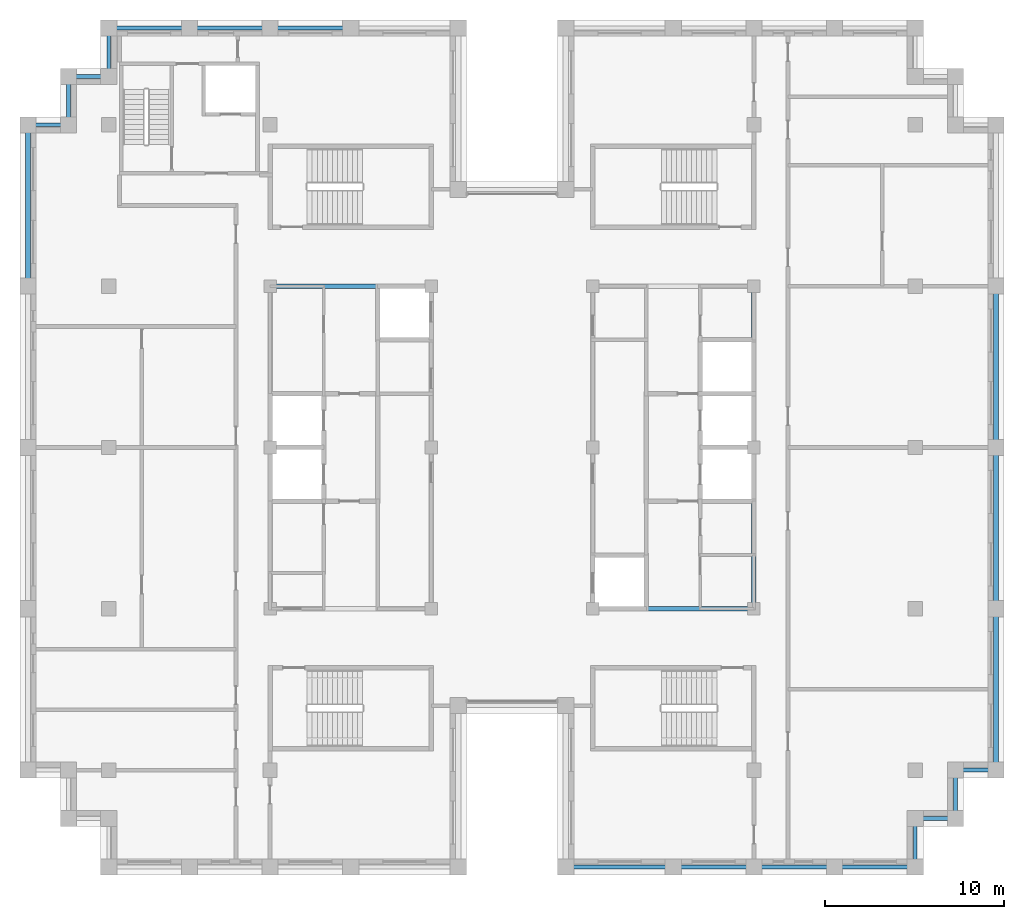
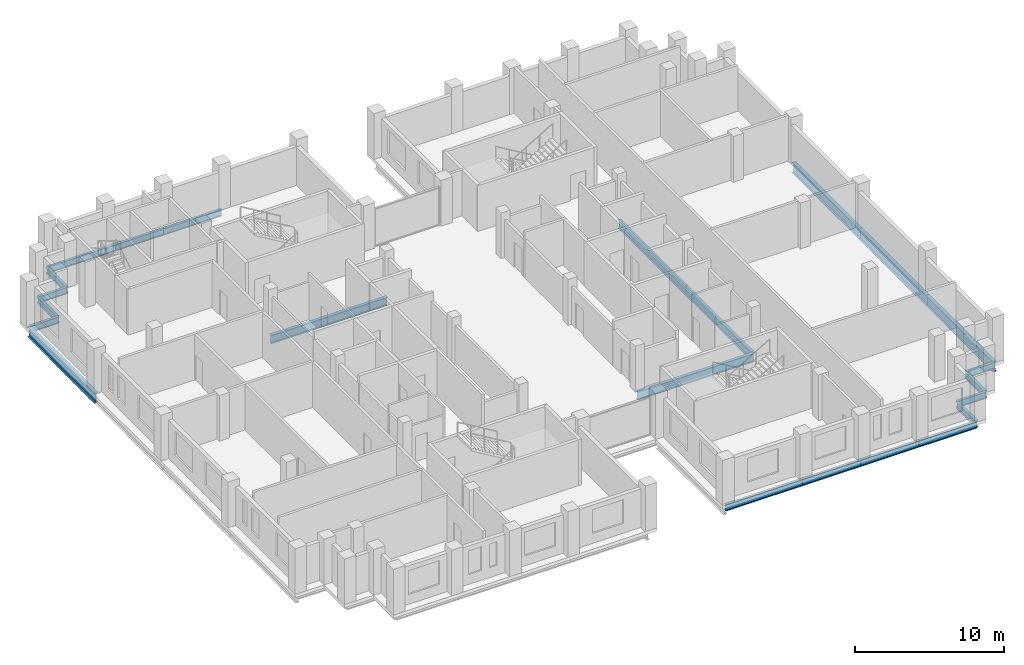
# One storey, part 3 of 13: 23 beams.
"""IFC4 building model written with IfcOpenShell, lengths in metres."""

from ifc_helpers import new_model, si_unit, direction, frame, origin, origin_2d, place, context, subcontext, project, spatial, i_section, extrude, material, material_profile, profile_set, type_object, element, save


model = new_model("IFC4")

# Units and contexts
model_context = context("Model", 3, precision=1e-05, world=origin(), true_north=direction((0.0, 1.0)))
body_context = subcontext(model_context, "Body", "Model", "MODEL_VIEW")
ifc_project = project(units=[si_unit("LENGTHUNIT", "METRE"), si_unit("AREAUNIT", "SQUARE_METRE"), si_unit("VOLUMEUNIT", "CUBIC_METRE"), si_unit("PLANEANGLEUNIT", "RADIAN"), si_unit("MASSUNIT", "GRAM", prefix="KILO")], contexts=[model_context])

# Site, building, storey
site_placement = place(None, origin())
site = spatial("IfcSite", under=ifc_project, at=site_placement, CompositionType="ELEMENT")
building_placement = place(site_placement, origin())
building = spatial("IfcBuilding", under=site, at=building_placement, Name="Corbelhall Arena Tower", CompositionType="ELEMENT")
storey_placement = place(building_placement, frame((0.0, 0.0, 304.0)))
storey = spatial("IfcBuildingStorey", under=building, at=storey_placement, Name="L66", CompositionType="ELEMENT", Elevation=304.0)

# Beams
ifc_material = material(Name="Steel ASTM A992 Gr50", Category="steel")
ifc_material_profile_1 = material_profile(ifc_material, i_section(OverallWidth=0.25390625, OverallDepth=0.67822265625, WebThickness=0.01171875, FlangeThickness=0.016357421875, at=origin_2d()))
ifc_profile_set_1 = profile_set([ifc_material_profile_1], Name="Steel ASTM A992 Gr50")
beam_type_1 = type_object("IfcBeamType", Name="ST-BEAM-W27x84", PredefinedType="BEAM", material=ifc_profile_set_1)
for number, where, z_axis, x_axis, name in (
    (1, (-13.5, 9.0, -0.59912109375), (1.0, 0.0, 0.0), (0.0, 1.0, 0.0), "Beam CEW 6"),
    (2, (13.5, -9.0, -0.59912109375), (0.0, 1.0, 0.0), (-1.0, 0.0, 0.0), "Beam CEE 9"),
    (3, (13.5, 0.0, -0.59912109375), (0.0, 1.0, 0.0), (-1.0, 0.0, 0.0), "Beam CEE 10"),
    (4, (4.5, -9.0, -0.59912109375), (1.0, 0.0, 0.0), (0.0, 1.0, 0.0), "Beam CEE 11"),
):
    element("IfcBeam", number, at=place(storey_placement, frame(where, z_axis=z_axis, x_axis=x_axis)), inside=storey, type_object=beam_type_1, Name=name, PredefinedType="BEAM", context=body_context, shape_type="SweptSolid", body=[
        extrude(i_section(OverallWidth=0.25390625, OverallDepth=0.67822265625, WebThickness=0.01171875, FlangeThickness=0.016357421875, at=origin_2d()), origin(), (0.0, 0.0, 1.0), 9.0),
    ])
ifc_material_profile_2 = material_profile(ifc_material, i_section(OverallWidth=0.209228515625, OverallDepth=0.533447265625, WebThickness=0.01025390625, FlangeThickness=0.015625, at=origin_2d()))
ifc_profile_set_2 = profile_set([ifc_material_profile_2], Name="Steel ASTM A992 Gr50")
beam_type_2 = type_object("IfcBeamType", Name="ST-SPANDREL-W21x62", PredefinedType="SPANDREL", material=ifc_profile_set_2)
beam_1_placement = place(storey_placement, frame((27.0, -18.0, -0.526611328125), z_axis=(-1.0, 0.0, 0.0), x_axis=(0.0, -1.0, 0.0)))
element("IfcBeam", 5, at=beam_1_placement, inside=storey, type_object=beam_type_2, Name="Beam SP 5", PredefinedType="SPANDREL", context=body_context, shape_type="SweptSolid", body=[
    extrude(i_section(OverallWidth=0.209228515625, OverallDepth=0.533447265625, WebThickness=0.01025390625, FlangeThickness=0.015625, at=origin_2d()), origin(), (0.0, 0.0, 1.0), 2.25),
])
for number, where, z_axis, x_axis, name in (
    (6, (-13.5, 23.39990234375, -0.526611328125), (1.0, 0.0, 0.0), (0.0, 1.0, 0.0), "Beam SP 13"),
    (7, (-18.0, 23.39990234375, -0.526611328125), (1.0, 0.0, 0.0), (0.0, 1.0, 0.0), "Beam SP 14"),
    (8, (-22.5, 23.39990234375, -0.526611328125), (1.0, 0.0, 0.0), (0.0, 1.0, 0.0), "Beam SP 15"),
):
    element("IfcBeam", number, at=place(storey_placement, frame(where, z_axis=z_axis, x_axis=x_axis)), inside=storey, type_object=beam_type_2, Name=name, PredefinedType="SPANDREL", context=body_context, shape_type="SweptSolid", body=[
        extrude(i_section(OverallWidth=0.209228515625, OverallDepth=0.533447265625, WebThickness=0.01025390625, FlangeThickness=0.015625, at=origin_2d()), origin(), (0.0, 0.0, 1.0), 4.5),
    ])
beam_2_placement = place(storey_placement, frame((9.0, -23.39990234375, -0.526611328125), z_axis=(-1.0, 0.0, 0.0), x_axis=(0.0, -1.0, 0.0)))
element("IfcBeam", 9, at=beam_2_placement, inside=storey, type_object=beam_type_2, Name="Beam SP 17", PredefinedType="SPANDREL", context=body_context, shape_type="SweptSolid", body=[
    extrude(i_section(OverallWidth=0.209228515625, OverallDepth=0.533447265625, WebThickness=0.01025390625, FlangeThickness=0.015625, at=origin_2d()), origin(), (0.0, 0.0, 1.0), 6.0),
])
for number, where, z_axis, x_axis, name in (
    (10, (13.5, -23.39990234375, -0.526611328125), (-1.0, 0.0, 0.0), (0.0, -1.0, 0.0), "Beam SP 18"),
    (11, (18.0, -23.39990234375, -0.526611328125), (-1.0, 0.0, 0.0), (0.0, -1.0, 0.0), "Beam SP 19"),
    (12, (22.5, -23.39990234375, -0.526611328125), (-1.0, 0.0, 0.0), (0.0, -1.0, 0.0), "Beam SP 20"),
):
    element("IfcBeam", number, at=place(storey_placement, frame(where, z_axis=z_axis, x_axis=x_axis)), inside=storey, type_object=beam_type_2, Name=name, PredefinedType="SPANDREL", context=body_context, shape_type="SweptSolid", body=[
        extrude(i_section(OverallWidth=0.209228515625, OverallDepth=0.533447265625, WebThickness=0.01025390625, FlangeThickness=0.015625, at=origin_2d()), origin(), (0.0, 0.0, 1.0), 4.5),
    ])
beam_3_placement = place(storey_placement, frame((-27.0, 18.0, -0.526611328125), z_axis=(1.0, 0.0, 0.0), x_axis=(0.0, 1.0, 0.0)))
element("IfcBeam", 13, at=beam_3_placement, inside=storey, type_object=beam_type_2, Name="Beam SP 28", PredefinedType="SPANDREL", context=body_context, shape_type="SweptSolid", body=[
    extrude(i_section(OverallWidth=0.209228515625, OverallDepth=0.533447265625, WebThickness=0.01025390625, FlangeThickness=0.015625, at=origin_2d()), origin(), (0.0, 0.0, 1.0), 2.25),
])
beam_4_placement = place(storey_placement, frame((-22.5, 20.699951171875, -0.526611328125), z_axis=(0.0, 1.0, 0.0), x_axis=(-1.0, 0.0, 0.0)))
element("IfcBeam", 14, at=beam_4_placement, inside=storey, type_object=beam_type_2, Name="Beam SP 38", PredefinedType="SPANDREL", context=body_context, shape_type="SweptSolid", body=[
    extrude(i_section(OverallWidth=0.209228515625, OverallDepth=0.533447265625, WebThickness=0.01025390625, FlangeThickness=0.015625, at=origin_2d()), origin(), (0.0, 0.0, 1.0), 2.699951171875),
])
beam_5_placement = place(storey_placement, frame((-24.75, 20.699951171875, -0.526611328125), z_axis=(1.0, 0.0, 0.0), x_axis=(0.0, 1.0, 0.0)))
element("IfcBeam", 15, at=beam_5_placement, inside=storey, type_object=beam_type_2, Name="Beam SP 39", PredefinedType="SPANDREL", context=body_context, shape_type="SweptSolid", body=[
    extrude(i_section(OverallWidth=0.209228515625, OverallDepth=0.533447265625, WebThickness=0.01025390625, FlangeThickness=0.015625, at=origin_2d()), origin(), (0.0, 0.0, 1.0), 2.25),
])
for number, where, z_axis, x_axis, name in (
    (16, (-24.75, 18.0, -0.526611328125), (0.0, 1.0, 0.0), (-1.0, 0.0, 0.0), "Beam SP 40"),
    (17, (22.5, -20.699951171875, -0.526611328125), (0.0, -1.0, 0.0), (1.0, 0.0, 0.0), "Beam SP 41"),
):
    element("IfcBeam", number, at=place(storey_placement, frame(where, z_axis=z_axis, x_axis=x_axis)), inside=storey, type_object=beam_type_2, Name=name, PredefinedType="SPANDREL", context=body_context, shape_type="SweptSolid", body=[
        extrude(i_section(OverallWidth=0.209228515625, OverallDepth=0.533447265625, WebThickness=0.01025390625, FlangeThickness=0.015625, at=origin_2d()), origin(), (0.0, 0.0, 1.0), 2.699951171875),
    ])
beam_6_placement = place(storey_placement, frame((24.75, -20.699951171875, -0.526611328125), z_axis=(-1.0, 0.0, 0.0), x_axis=(0.0, -1.0, 0.0)))
element("IfcBeam", 18, at=beam_6_placement, inside=storey, type_object=beam_type_2, Name="Beam SP 42", PredefinedType="SPANDREL", context=body_context, shape_type="SweptSolid", body=[
    extrude(i_section(OverallWidth=0.209228515625, OverallDepth=0.533447265625, WebThickness=0.01025390625, FlangeThickness=0.015625, at=origin_2d()), origin(), (0.0, 0.0, 1.0), 2.25),
])
beam_7_placement = place(storey_placement, frame((24.75, -18.0, -0.526611328125), z_axis=(0.0, -1.0, 0.0), x_axis=(1.0, 0.0, 0.0)))
element("IfcBeam", 19, at=beam_7_placement, inside=storey, type_object=beam_type_2, Name="Beam SP 43", PredefinedType="SPANDREL", context=body_context, shape_type="SweptSolid", body=[
    extrude(i_section(OverallWidth=0.209228515625, OverallDepth=0.533447265625, WebThickness=0.01025390625, FlangeThickness=0.015625, at=origin_2d()), origin(), (0.0, 0.0, 1.0), 2.699951171875),
])
ifc_material_profile_3 = material_profile(ifc_material, i_section(OverallWidth=0.2919921875, OverallDepth=0.845703125, WebThickness=0.015380859375, FlangeThickness=0.0244140625, at=origin_2d()))
ifc_profile_set_3 = profile_set([ifc_material_profile_3], Name="Steel ASTM A992 Gr50")
beam_type_3 = type_object("IfcBeamType", Name="ST-SPANDREL-W33x141", PredefinedType="SPANDREL", material=ifc_profile_set_3)
for number, where, z_axis, x_axis, name in (
    (20, (27.0, 0.0, -0.682861328125), (0.0, -1.0, 0.0), (1.0, 0.0, 0.0), "Beam SP 1"),
    (21, (27.0, 9.0, -0.682861328125), (0.0, -1.0, 0.0), (1.0, 0.0, 0.0), "Beam SP 2"),
    (22, (27.0, -9.0, -0.682861328125), (0.0, -1.0, 0.0), (1.0, 0.0, 0.0), "Beam SP 4"),
    (23, (-27.0, 9.0, -0.682861328125), (0.0, 1.0, 0.0), (-1.0, 0.0, 0.0), "Beam SP 27"),
):
    element("IfcBeam", number, at=place(storey_placement, frame(where, z_axis=z_axis, x_axis=x_axis)), inside=storey, type_object=beam_type_3, Name=name, PredefinedType="SPANDREL", context=body_context, shape_type="SweptSolid", body=[
        extrude(i_section(OverallWidth=0.2919921875, OverallDepth=0.845703125, WebThickness=0.015380859375, FlangeThickness=0.0244140625, at=origin_2d()), origin(), (0.0, 0.0, 1.0), 9.0),
    ])

save(model, "model.ifc")
